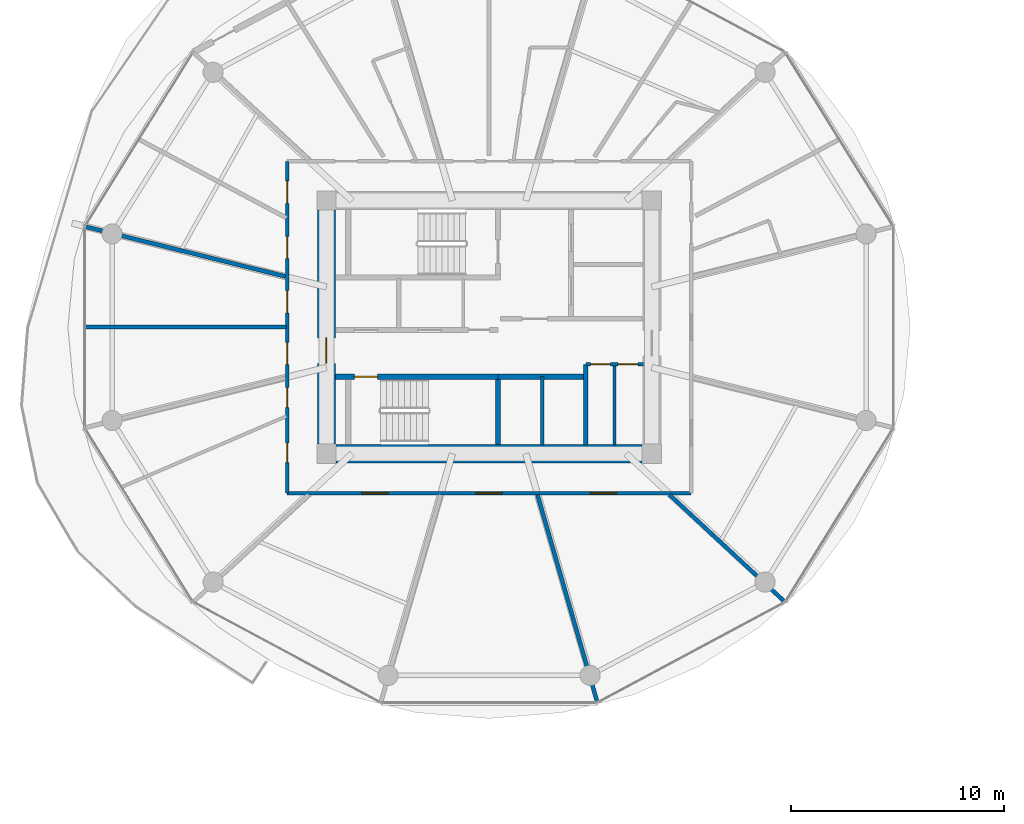
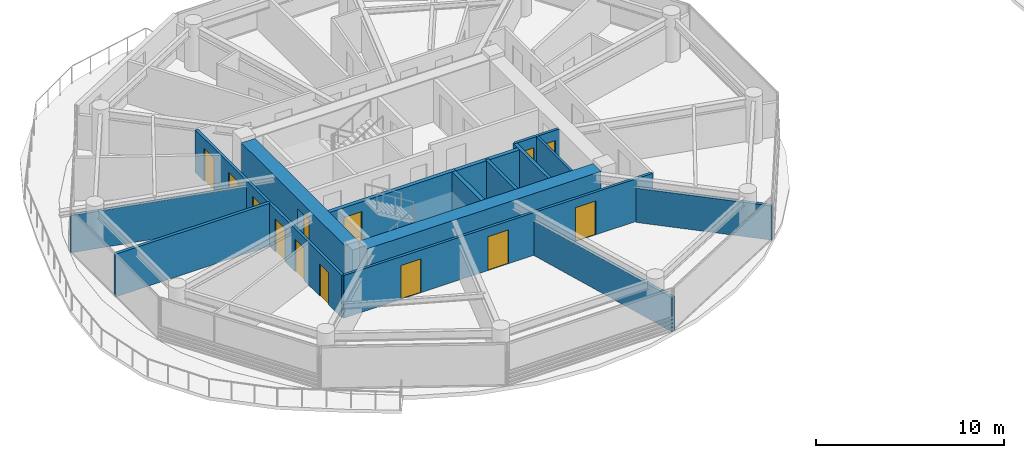
# One storey, part 15 of 27: 15 walls, 13 doors, 13 openings.
"""IFC4 building model written with IfcOpenShell, lengths in metres."""

from ifc_helpers import new_model, si_unit, direction, frame, frame_2d, origin, place, context, subcontext, project, spatial, rectangle, extrude, source, transform, mapped, material, layer, layer_set, type_object, type_shapes, element, fill, save


model = new_model("IFC4")

# Units and contexts
model_context = context("Model", 3, precision=1e-05, world=origin(), true_north=direction((0.0, 1.0)))
body_context = subcontext(model_context, "Body", "Model", "MODEL_VIEW")
ifc_project = project(units=[si_unit("LENGTHUNIT", "METRE"), si_unit("AREAUNIT", "SQUARE_METRE"), si_unit("VOLUMEUNIT", "CUBIC_METRE"), si_unit("PLANEANGLEUNIT", "RADIAN"), si_unit("MASSUNIT", "GRAM", prefix="KILO")], contexts=[model_context])

# Site, building, storey
site_placement = place(None, origin())
site = spatial("IfcSite", under=ifc_project, at=site_placement, CompositionType="ELEMENT")
building_placement = place(site_placement, origin())
building = spatial("IfcBuilding", under=site, at=building_placement, Name="Norrkilde Senior Care Towers", CompositionType="ELEMENT")
storey_placement = place(building_placement, frame((0.0, 0.0, 30.75)))
storey = spatial("IfcBuildingStorey", under=building, at=storey_placement, Name="L08", CompositionType="ELEMENT", Elevation=30.75)

# Wall
ifc_material_1 = material(Name="Concrete C60/75", Category="concrete")
ifc_layer_1 = layer(ifc_material_1, 0.85009765625)
ifc_layer_set_1 = layer_set([ifc_layer_1], Name="Concrete C60/75")
wall_type_1 = type_object("IfcWallType", Name="Core Shear Wall Z1 850", PredefinedType="SHEAR", material=ifc_layer_set_1)
shared_shape_1 = source(origin(), body_context, "Body", "SweptSolid", [
    extrude(rectangle(XDim=14.39990234375, YDim=0.85009765625, at=frame_2d((7.199951171875, 0.0))), origin(), (0.0, 0.0, 1.0), 2.7900390625),
])
wall_1_placement = place(storey_placement, frame((-20.800048828125, -5.949951171875, 0.0), z_axis=(0.0, 0.0, 1.0), x_axis=(-1.0, 0.0, 0.0)))
element("IfcWall", 1, at=wall_1_placement, inside=storey, type_object=wall_type_1, Name="L08 Core W South Shear Wall", PredefinedType="SHEAR", context=body_context, shape_type="MappedRepresentation", body=[
    mapped(shared_shape_1, transform((0.0, 0.0, 0.0), x_axis=(1.0, 0.0, 0.0), y_axis=(0.0, 1.0, 0.0), z_axis=(0.0, 0.0, 1.0), scale=1.0)),
])

# Wall, opening, door
shared_shape_2 = source(origin(), body_context, "Body", "SweptSolid", [
    extrude(rectangle(XDim=11.0, YDim=0.85009765625, at=frame_2d((5.5, 0.0))), origin(), (0.0, 0.0, 1.0), 2.7900390625),
])
type_shapes(wall_type_1, [shared_shape_1, shared_shape_2])
wall_2_placement = place(storey_placement, frame((-35.64990234375, -5.5, 0.0), z_axis=(0.0, 0.0, 1.0), x_axis=(0.0, 1.0, 0.0)))
wall_2 = element("IfcWall", 2, at=wall_2_placement, inside=storey, type_object=wall_type_1, Name="L08 Core W West Shear Wall", PredefinedType="SHEAR", context=body_context, shape_type="MappedRepresentation", body=[
    mapped(shared_shape_2, transform((0.0, 0.0, 0.0), x_axis=(1.0, 0.0, 0.0), y_axis=(0.0, 1.0, 0.0), z_axis=(0.0, 0.0, 1.0), scale=1.0)),
])
opening_1_placement = place(wall_2_placement, frame((3.800048828125, 0.0, 0.0)))
opening_1 = element("IfcOpeningElement", 3, at=opening_1_placement, cuts=wall_2, Name="Opening D-04", PredefinedType="OPENING", context=body_context, shape_type="SweptSolid", body=[
    extrude(rectangle(XDim=1.199951171875, YDim=2.14990234375, at=frame_2d((0.60009765625, 1.074951171875))), frame((0.0, 0.43505859375, 0.0), z_axis=(0.0, -1.0, 0.0), x_axis=(1.0, 0.0, 0.0)), (0.0, 0.0, 1.0), 0.8701171875),
])
ifc_material_2 = material(Name="Galvanised Painted Steel", Category="steel")
door_type_1 = type_object("IfcDoorType", Name="Firefighting Lobby Fire Door 1200x2150", OperationType="NOTDEFINED", PredefinedType="DOOR", material=ifc_material_2)
shared_shape_3 = source(origin(), body_context, "Body", "SweptSolid", [
    extrude(rectangle(XDim=1.199951171875, YDim=2.14990234375, at=frame_2d((0.60009765625, 1.074951171875))), frame((0.0, 0.02490234375, 0.0), z_axis=(0.0, -1.0, 0.0), x_axis=(1.0, 0.0, 0.0)), (0.0, 0.0, 1.0), 0.050048828125),
])
type_shapes(door_type_1, [shared_shape_3])
door_1_placement = place(opening_1_placement, frame((1.199951171875, 0.0, 0.0), z_axis=(0.0, 0.0, 1.0), x_axis=(-1.0, 0.0, 0.0)))
door_1 = element("IfcDoor", 4, at=door_1_placement, inside=storey, type_object=door_type_1, Name="L08 Core W West Portal Door", OperationType="SINGLE_SWING_LEFT", OverallHeight=2.14990234375, OverallWidth=1.199951171875, PredefinedType="DOOR", context=body_context, shape_type="MappedRepresentation", body=[
    mapped(shared_shape_3, transform((0.0, 0.0, 0.0), x_axis=(1.0, 0.0, 0.0), y_axis=(0.0, 1.0, 0.0), z_axis=(0.0, 0.0, 1.0), scale=1.0)),
])
fill(opening_1, door_1)

# Walls
ifc_material_3 = material(Name="Concrete C45/55", Category="concrete")
ifc_layer_2 = layer(ifc_material_3, 0.199951171875)
ifc_layer_set_2 = layer_set([ifc_layer_2], Name="Concrete C45/55")
wall_type_2 = type_object("IfcWallType", Name="Shaft Division and Plant Partition 200", PredefinedType="PARTITIONING", material=ifc_layer_set_2)
shared_shape_4 = source(origin(), body_context, "Body", "SweptSolid", [
    extrude(rectangle(XDim=3.800048828125, YDim=0.199951171875, at=frame_2d((1.89990234375, 0.0))), origin(), (0.0, 0.0, 1.0), 2.77490234375),
])
type_shapes(wall_type_2, [shared_shape_4])
wall_3_placement = place(storey_placement, frame((-23.449951171875, -5.550048828125, 0.0), z_axis=(0.0, 0.0, 1.0), x_axis=(0.0, 1.0, 0.0)))
element("IfcWall", 5, at=wall_3_placement, inside=storey, type_object=wall_type_2, Name="WL-INT-L08-W-PKBE", PredefinedType="PARTITIONING", context=body_context, shape_type="MappedRepresentation", body=[
    mapped(shared_shape_4, transform((0.0, 0.0, 0.0), x_axis=(1.0, 0.0, 0.0), y_axis=(0.0, 1.0, 0.0), z_axis=(0.0, 0.0, 1.0), scale=1.0)),
])
ifc_layer_3 = layer(ifc_material_3, 0.239990234375)
ifc_layer_set_3 = layer_set([ifc_layer_3], Name="Concrete C45/55")
wall_type_3 = type_object("IfcWallType", Name="Lift and Plant Rated Enclosure Partition 240", PredefinedType="PARTITIONING", material=ifc_layer_set_3)
shared_shape_5 = source(origin(), body_context, "Body", "SweptSolid", [
    extrude(rectangle(XDim=4.130126953125, YDim=0.239990234375, at=frame_2d((2.06494140625, 0.0))), origin(), (0.0, 0.0, 1.0), 2.77490234375),
])
type_shapes(wall_type_3, [shared_shape_5])
wall_4_placement = place(storey_placement, frame((-27.580078125, -2.330078125, 0.0), z_axis=(0.0, 0.0, 1.0), x_axis=(1.0, 0.0, 0.0)))
element("IfcWall", 6, at=wall_4_placement, inside=storey, type_object=wall_type_3, Name="WL-INT-L08-W-PKBN", PredefinedType="PARTITIONING", context=body_context, shape_type="MappedRepresentation", body=[
    mapped(shared_shape_5, transform((0.0, 0.0, 0.0), x_axis=(1.0, 0.0, 0.0), y_axis=(0.0, 1.0, 0.0), z_axis=(0.0, 0.0, 1.0), scale=1.0)),
])
ifc_layer_4 = layer(ifc_material_3, 0.179931640625)
ifc_layer_set_4 = layer_set([ifc_layer_4], Name="Concrete C45/55")
wall_type_4 = type_object("IfcWallType", Name="Hoistway Division Rated Partition 180", PredefinedType="PARTITIONING", material=ifc_layer_set_4)
shared_shape_6 = source(origin(), body_context, "Body", "SweptSolid", [
    extrude(rectangle(XDim=3.219970703125, YDim=0.179931640625, at=frame_2d((1.60986328125, 0.0))), origin(), (0.0, 0.0, 1.0), 2.77490234375),
])
type_shapes(wall_type_4, [shared_shape_6])
wall_5_placement = place(storey_placement, frame((-25.5, -5.550048828125, 0.0), z_axis=(0.0, 0.0, 1.0), x_axis=(0.0, 1.0, 0.0)))
element("IfcWall", 7, at=wall_5_placement, inside=storey, type_object=wall_type_4, Name="WL-INT-L08-W-PL34", PredefinedType="PARTITIONING", context=body_context, shape_type="MappedRepresentation", body=[
    mapped(shared_shape_6, transform((0.0, 0.0, 0.0), x_axis=(1.0, 0.0, 0.0), y_axis=(0.0, 1.0, 0.0), z_axis=(0.0, 0.0, 1.0), scale=1.0)),
])

# Wall, openings, doors
ifc_material_4 = material(Name="Gypsum Acoustic Board")
ifc_layer_5 = layer(ifc_material_4, 0.1650390625)
ifc_layer_set_5 = layer_set([ifc_layer_5], Name="Gypsum Acoustic Board")
wall_type_5 = type_object("IfcWallType", Name="Corridor Rated Partition 165", PredefinedType="PARTITIONING", material=ifc_layer_set_5)
shared_shape_7 = source(origin(), body_context, "Body", "SweptSolid", [
    extrude(rectangle(XDim=2.699951171875, YDim=0.1650390625, at=frame_2d((1.35009765625, 0.0))), origin(), (0.0, 0.0, 1.0), 2.77490234375),
])
wall_6_placement = place(storey_placement, frame((-23.449951171875, -1.75, 0.0), z_axis=(0.0, 0.0, 1.0), x_axis=(1.0, 0.0, 0.0)))
wall_6 = element("IfcWall", 8, at=wall_6_placement, inside=storey, type_object=wall_type_5, Name="WL-INT-L08-W-CSN", PredefinedType="PARTITIONING", context=body_context, shape_type="MappedRepresentation", body=[
    mapped(shared_shape_7, transform((0.0, 0.0, 0.0), x_axis=(1.0, 0.0, 0.0), y_axis=(0.0, 1.0, 0.0), z_axis=(0.0, 0.0, 1.0), scale=1.0)),
])
opening_2_placement = place(wall_6_placement, frame((0.222412109375, 0.0, 0.0)))
opening_2 = element("IfcOpeningElement", 9, at=opening_2_placement, cuts=wall_6, Name="Opening D-12", PredefinedType="OPENING", context=body_context, shape_type="SweptSolid", body=[
    extrude(rectangle(XDim=0.925048828125, YDim=2.10009765625, at=frame_2d((0.46240234375, 1.050048828125))), frame((0.0, 0.092529296875, 0.0), z_axis=(0.0, -1.0, 0.0), x_axis=(1.0, 0.0, 0.0)), (0.0, 0.0, 1.0), 0.18505859375),
])
opening_3_placement = place(wall_6_placement, frame((1.5224609375, 0.0, 0.0)))
opening_3 = element("IfcOpeningElement", 10, at=opening_3_placement, cuts=wall_6, Name="Opening D-12", PredefinedType="OPENING", context=body_context, shape_type="SweptSolid", body=[
    extrude(rectangle(XDim=0.925048828125, YDim=2.10009765625, at=frame_2d((0.46240234375, 1.050048828125))), frame((0.0, 0.092529296875, 0.0), z_axis=(0.0, -1.0, 0.0), x_axis=(1.0, 0.0, 0.0)), (0.0, 0.0, 1.0), 0.18505859375),
])
door_type_2 = type_object("IfcDoorType", Name="Core Wet Room Rated Door 925x2100", OperationType="NOTDEFINED", PredefinedType="DOOR", material=ifc_material_2)
shared_shape_8 = source(origin(), body_context, "Body", "SweptSolid", [
    extrude(rectangle(XDim=0.925048828125, YDim=2.10009765625, at=frame_2d((0.46240234375, 1.050048828125))), frame((0.0, 0.02490234375, 0.0), z_axis=(0.0, -1.0, 0.0), x_axis=(1.0, 0.0, 0.0)), (0.0, 0.0, 1.0), 0.050048828125),
])
type_shapes(door_type_2, [shared_shape_8])
door_2_placement = place(opening_2_placement, origin())
door_2 = element("IfcDoor", 11, at=door_2_placement, inside=storey, type_object=door_type_2, Name="L08 Staff Accessible WC W Door", OperationType="SINGLE_SWING_LEFT", OverallHeight=2.10009765625, OverallWidth=0.925048828125, PredefinedType="DOOR", context=body_context, shape_type="MappedRepresentation", body=[
    mapped(shared_shape_8, transform((0.0, 0.0, 0.0), x_axis=(1.0, 0.0, 0.0), y_axis=(0.0, 1.0, 0.0), z_axis=(0.0, 0.0, 1.0), scale=1.0)),
])
fill(opening_2, door_2)
door_3_placement = place(opening_3_placement, origin())
door_3 = element("IfcDoor", 12, at=door_3_placement, inside=storey, type_object=door_type_2, Name="L08 Housekeeping Store W Door", OperationType="SINGLE_SWING_RIGHT", OverallHeight=2.10009765625, OverallWidth=0.925048828125, PredefinedType="DOOR", context=body_context, shape_type="MappedRepresentation", body=[
    mapped(shared_shape_8, transform((0.0, 0.0, 0.0), x_axis=(1.0, 0.0, 0.0), y_axis=(0.0, 1.0, 0.0), z_axis=(0.0, 0.0, 1.0), scale=1.0)),
])
fill(opening_3, door_3)

shared_shape_9 = source(origin(), body_context, "Body", "SweptSolid", [
    extrude(rectangle(XDim=19.0, YDim=0.1650390625, at=frame_2d((9.5, 0.0))), origin(), (0.0, 0.0, 1.0), 2.77490234375),
])
wall_7_placement = place(storey_placement, frame((-18.5, -7.800048828125, 0.0), z_axis=(0.0, 0.0, 1.0), x_axis=(-1.0, 0.0, 0.0)))
wall_7 = element("IfcWall", 13, at=wall_7_placement, inside=storey, type_object=wall_type_5, Name="WL-INT-L08-W-CRW-S-0", PredefinedType="PARTITIONING", context=body_context, shape_type="MappedRepresentation", body=[
    mapped(shared_shape_9, transform((0.0, 0.0, 0.0), x_axis=(1.0, 0.0, 0.0), y_axis=(0.0, 1.0, 0.0), z_axis=(0.0, 0.0, 1.0), scale=1.0)),
])
opening_4_placement = place(wall_7_placement, frame((14.244384765625, 0.0, 0.0)))
opening_4 = element("IfcOpeningElement", 14, at=opening_4_placement, cuts=wall_7, Name="Opening D-05", PredefinedType="OPENING", context=body_context, shape_type="SweptSolid", body=[
    extrude(rectangle(XDim=1.25, YDim=2.199951171875, at=frame_2d((0.625, 1.10009765625))), frame((0.0, 0.092529296875, 0.0), z_axis=(0.0, -1.0, 0.0), x_axis=(1.0, 0.0, 0.0)), (0.0, 0.0, 1.0), 0.18505859375),
])
opening_5_placement = place(wall_7_placement, frame((8.875, 0.0, 0.0)))
opening_5 = element("IfcOpeningElement", 15, at=opening_5_placement, cuts=wall_7, Name="Opening D-05", PredefinedType="OPENING", context=body_context, shape_type="SweptSolid", body=[
    extrude(rectangle(XDim=1.25, YDim=2.199951171875, at=frame_2d((0.625, 1.10009765625))), frame((0.0, 0.092529296875, 0.0), z_axis=(0.0, -1.0, 0.0), x_axis=(1.0, 0.0, 0.0)), (0.0, 0.0, 1.0), 0.18505859375),
])
opening_6_placement = place(wall_7_placement, frame((3.505615234375, 0.0, 0.0)))
opening_6 = element("IfcOpeningElement", 16, at=opening_6_placement, cuts=wall_7, Name="Opening D-05", PredefinedType="OPENING", context=body_context, shape_type="SweptSolid", body=[
    extrude(rectangle(XDim=1.25, YDim=2.199951171875, at=frame_2d((0.625, 1.10009765625))), frame((0.0, 0.092529296875, 0.0), z_axis=(0.0, -1.0, 0.0), x_axis=(1.0, 0.0, 0.0)), (0.0, 0.0, 1.0), 0.18505859375),
])
ifc_material_5 = material(Name="Nordic Ash Timber", Category="wood")
door_type_3 = type_object("IfcDoorType", Name="Care Bedroom Bariatric Door 1250x2200", OperationType="NOTDEFINED", PredefinedType="DOOR", material=ifc_material_5)
shared_shape_10 = source(origin(), body_context, "Body", "SweptSolid", [
    extrude(rectangle(XDim=1.25, YDim=2.199951171875, at=frame_2d((0.625, 1.10009765625))), frame((0.0, 0.02490234375, 0.0), z_axis=(0.0, -1.0, 0.0), x_axis=(1.0, 0.0, 0.0)), (0.0, 0.0, 1.0), 0.050048828125),
])
type_shapes(door_type_3, [shared_shape_10])
door_4_placement = place(opening_4_placement, frame((1.25, 0.0, 0.0), z_axis=(0.0, 0.0, 1.0), x_axis=(-1.0, 0.0, 0.0)))
door_4 = element("IfcDoor", 17, at=door_4_placement, inside=storey, type_object=door_type_3, Name="L08 Resident Therapeutic Day Lounge Door", OperationType="SINGLE_SWING_RIGHT", OverallHeight=2.199951171875, OverallWidth=1.25, PredefinedType="DOOR", context=body_context, shape_type="MappedRepresentation", body=[
    mapped(shared_shape_10, transform((0.0, 0.0, 0.0), x_axis=(1.0, 0.0, 0.0), y_axis=(0.0, 1.0, 0.0), z_axis=(0.0, 0.0, 1.0), scale=1.0)),
])
fill(opening_4, door_4)
door_5_placement = place(opening_5_placement, frame((1.25, 0.0, 0.0), z_axis=(0.0, 0.0, 1.0), x_axis=(-1.0, 0.0, 0.0)))
door_5 = element("IfcDoor", 18, at=door_5_placement, inside=storey, type_object=door_type_3, Name="L08 Household Therapeutic Kitchen Door", OperationType="SINGLE_SWING_LEFT", OverallHeight=2.199951171875, OverallWidth=1.25, PredefinedType="DOOR", context=body_context, shape_type="MappedRepresentation", body=[
    mapped(shared_shape_10, transform((0.0, 0.0, 0.0), x_axis=(1.0, 0.0, 0.0), y_axis=(0.0, 1.0, 0.0), z_axis=(0.0, 0.0, 1.0), scale=1.0)),
])
fill(opening_5, door_5)
door_6_placement = place(opening_6_placement, frame((1.25, 0.0, 0.0), z_axis=(0.0, 0.0, 1.0), x_axis=(-1.0, 0.0, 0.0)))
door_6 = element("IfcDoor", 19, at=door_6_placement, inside=storey, type_object=door_type_3, Name="L08 Household Communal Dining Salon Door", OperationType="SINGLE_SWING_RIGHT", OverallHeight=2.199951171875, OverallWidth=1.25, PredefinedType="DOOR", context=body_context, shape_type="MappedRepresentation", body=[
    mapped(shared_shape_10, transform((0.0, 0.0, 0.0), x_axis=(1.0, 0.0, 0.0), y_axis=(0.0, 1.0, 0.0), z_axis=(0.0, 0.0, 1.0), scale=1.0)),
])
fill(opening_6, door_6)

shared_shape_11 = source(origin(), body_context, "Body", "SweptSolid", [
    extrude(rectangle(XDim=15.60009765625, YDim=0.1650390625, at=frame_2d((7.800048828125, 0.0))), origin(), (0.0, 0.0, 1.0), 2.77490234375),
])
type_shapes(wall_type_5, [shared_shape_7, shared_shape_9, shared_shape_11])
wall_8_placement = place(storey_placement, frame((-37.5, -7.800048828125, 0.0), z_axis=(0.0, 0.0, 1.0), x_axis=(0.0, 1.0, 0.0)))
wall_8 = element("IfcWall", 20, at=wall_8_placement, inside=storey, type_object=wall_type_5, Name="WL-INT-L08-W-CRW-W-0", PredefinedType="PARTITIONING", context=body_context, shape_type="MappedRepresentation", body=[
    mapped(shared_shape_11, transform((0.0, 0.0, 0.0), x_axis=(1.0, 0.0, 0.0), y_axis=(0.0, 1.0, 0.0), z_axis=(0.0, 0.0, 1.0), scale=1.0)),
])
opening_7_placement = place(wall_8_placement, frame((13.623046875, 0.0, 0.0)))
opening_7 = element("IfcOpeningElement", 21, at=opening_7_placement, cuts=wall_8, Name="Opening D-06", PredefinedType="OPENING", context=body_context, shape_type="SweptSolid", body=[
    extrude(rectangle(XDim=1.050048828125, YDim=2.14990234375, at=frame_2d((0.52490234375, 1.074951171875))), frame((0.0, 0.092529296875, 0.0), z_axis=(0.0, -1.0, 0.0), x_axis=(1.0, 0.0, 0.0)), (0.0, 0.0, 1.0), 0.18505859375),
])
opening_8_placement = place(wall_8_placement, frame((11.017578125, 0.0, 0.0)))
opening_8 = element("IfcOpeningElement", 22, at=opening_8_placement, cuts=wall_8, Name="Opening D-06", PredefinedType="OPENING", context=body_context, shape_type="SweptSolid", body=[
    extrude(rectangle(XDim=1.050048828125, YDim=2.14990234375, at=frame_2d((0.52490234375, 1.074951171875))), frame((0.0, 0.092529296875, 0.0), z_axis=(0.0, -1.0, 0.0), x_axis=(1.0, 0.0, 0.0)), (0.0, 0.0, 1.0), 0.18505859375),
])
opening_9_placement = place(wall_8_placement, frame((8.467041015625, 0.0, 0.0)))
opening_9 = element("IfcOpeningElement", 23, at=opening_9_placement, cuts=wall_8, Name="Opening D-06", PredefinedType="OPENING", context=body_context, shape_type="SweptSolid", body=[
    extrude(rectangle(XDim=1.050048828125, YDim=2.14990234375, at=frame_2d((0.52490234375, 1.074951171875))), frame((0.0, 0.092529296875, 0.0), z_axis=(0.0, -1.0, 0.0), x_axis=(1.0, 0.0, 0.0)), (0.0, 0.0, 1.0), 0.18505859375),
])
opening_10_placement = place(wall_8_placement, frame((6.03466796875, 0.0, 0.0)))
opening_10 = element("IfcOpeningElement", 24, at=opening_10_placement, cuts=wall_8, Name="Opening D-06", PredefinedType="OPENING", context=body_context, shape_type="SweptSolid", body=[
    extrude(rectangle(XDim=1.050048828125, YDim=2.14990234375, at=frame_2d((0.52490234375, 1.074951171875))), frame((0.0, 0.092529296875, 0.0), z_axis=(0.0, -1.0, 0.0), x_axis=(1.0, 0.0, 0.0)), (0.0, 0.0, 1.0), 0.18505859375),
])
opening_11_placement = place(wall_8_placement, frame((4.033935546875, 0.0, 0.0)))
opening_11 = element("IfcOpeningElement", 25, at=opening_11_placement, cuts=wall_8, Name="Opening D-08", PredefinedType="OPENING", context=body_context, shape_type="SweptSolid", body=[
    extrude(rectangle(XDim=0.919921875, YDim=2.10009765625, at=frame_2d((0.4599609375, 1.050048828125))), frame((0.0, 0.092529296875, 0.0), z_axis=(0.0, -1.0, 0.0), x_axis=(1.0, 0.0, 0.0)), (0.0, 0.0, 1.0), 0.18505859375),
])
opening_12_placement = place(wall_8_placement, frame((1.426025390625, 0.0, 0.0)))
opening_12 = element("IfcOpeningElement", 26, at=opening_12_placement, cuts=wall_8, Name="Opening D-08", PredefinedType="OPENING", context=body_context, shape_type="SweptSolid", body=[
    extrude(rectangle(XDim=0.919921875, YDim=2.10009765625, at=frame_2d((0.4599609375, 1.050048828125))), frame((0.0, 0.092529296875, 0.0), z_axis=(0.0, -1.0, 0.0), x_axis=(1.0, 0.0, 0.0)), (0.0, 0.0, 1.0), 0.18505859375),
])
door_type_4 = type_object("IfcDoorType", Name="Accessible Wet Room Door 920x2100", OperationType="NOTDEFINED", PredefinedType="DOOR", material=ifc_material_5)
shared_shape_12 = source(origin(), body_context, "Body", "SweptSolid", [
    extrude(rectangle(XDim=0.919921875, YDim=2.10009765625, at=frame_2d((0.4599609375, 1.050048828125))), frame((0.0, 0.02490234375, 0.0), z_axis=(0.0, -1.0, 0.0), x_axis=(1.0, 0.0, 0.0)), (0.0, 0.0, 1.0), 0.050048828125),
])
type_shapes(door_type_4, [shared_shape_12])
door_7_placement = place(opening_11_placement, frame((0.919921875, 0.0, 0.0), z_axis=(0.0, 0.0, 1.0), x_axis=(-1.0, 0.0, 0.0)))
door_7 = element("IfcDoor", 27, at=door_7_placement, inside=storey, type_object=door_type_4, Name="L08 Accessible Restroom Door", OperationType="SINGLE_SWING_LEFT", OverallHeight=2.10009765625, OverallWidth=0.919921875, PredefinedType="DOOR", context=body_context, shape_type="MappedRepresentation", body=[
    mapped(shared_shape_12, transform((0.0, 0.0, 0.0), x_axis=(1.0, 0.0, 0.0), y_axis=(0.0, 1.0, 0.0), z_axis=(0.0, 0.0, 1.0), scale=1.0)),
])
fill(opening_11, door_7)
door_8_placement = place(opening_12_placement, frame((0.919921875, 0.0, 0.0), z_axis=(0.0, 0.0, 1.0), x_axis=(-1.0, 0.0, 0.0)))
door_8 = element("IfcDoor", 28, at=door_8_placement, inside=storey, type_object=door_type_4, Name="L08 Public Restroom Door", OperationType="SINGLE_SWING_RIGHT", OverallHeight=2.10009765625, OverallWidth=0.919921875, PredefinedType="DOOR", context=body_context, shape_type="MappedRepresentation", body=[
    mapped(shared_shape_12, transform((0.0, 0.0, 0.0), x_axis=(1.0, 0.0, 0.0), y_axis=(0.0, 1.0, 0.0), z_axis=(0.0, 0.0, 1.0), scale=1.0)),
])
fill(opening_12, door_8)
door_type_5 = type_object("IfcDoorType", Name="Apartment Entrance Fire Door 1050x2150", OperationType="NOTDEFINED", PredefinedType="DOOR", material=ifc_material_5)
shared_shape_13 = source(origin(), body_context, "Body", "SweptSolid", [
    extrude(rectangle(XDim=1.050048828125, YDim=2.14990234375, at=frame_2d((0.52490234375, 1.074951171875))), frame((0.0, 0.02490234375, 0.0), z_axis=(0.0, -1.0, 0.0), x_axis=(1.0, 0.0, 0.0)), (0.0, 0.0, 1.0), 0.050048828125),
])
type_shapes(door_type_5, [shared_shape_13])
door_9_placement = place(opening_7_placement, frame((1.050048828125, 0.0, 0.0), z_axis=(0.0, 0.0, 1.0), x_axis=(-1.0, 0.0, 0.0)))
door_9 = element("IfcDoor", 29, at=door_9_placement, inside=storey, type_object=door_type_5, Name="L08 Physiotherapy Clinic 4A Door", OperationType="SINGLE_SWING_LEFT", OverallHeight=2.14990234375, OverallWidth=1.050048828125, PredefinedType="DOOR", context=body_context, shape_type="MappedRepresentation", body=[
    mapped(shared_shape_13, transform((0.0, 0.0, 0.0), x_axis=(1.0, 0.0, 0.0), y_axis=(0.0, 1.0, 0.0), z_axis=(0.0, 0.0, 1.0), scale=1.0)),
])
fill(opening_7, door_9)
door_10_placement = place(opening_8_placement, frame((1.050048828125, 0.0, 0.0), z_axis=(0.0, 0.0, 1.0), x_axis=(-1.0, 0.0, 0.0)))
door_10 = element("IfcDoor", 30, at=door_10_placement, inside=storey, type_object=door_type_5, Name="L08 Assessment Clinic 4B Door", OperationType="SINGLE_SWING_RIGHT", OverallHeight=2.14990234375, OverallWidth=1.050048828125, PredefinedType="DOOR", context=body_context, shape_type="MappedRepresentation", body=[
    mapped(shared_shape_13, transform((0.0, 0.0, 0.0), x_axis=(1.0, 0.0, 0.0), y_axis=(0.0, 1.0, 0.0), z_axis=(0.0, 0.0, 1.0), scale=1.0)),
])
fill(opening_8, door_10)
door_11_placement = place(opening_9_placement, frame((1.050048828125, 0.0, 0.0), z_axis=(0.0, 0.0, 1.0), x_axis=(-1.0, 0.0, 0.0)))
door_11 = element("IfcDoor", 31, at=door_11_placement, inside=storey, type_object=door_type_5, Name="L08 Physiotherapy Clinic 5A Door", OperationType="SINGLE_SWING_RIGHT", OverallHeight=2.14990234375, OverallWidth=1.050048828125, PredefinedType="DOOR", context=body_context, shape_type="MappedRepresentation", body=[
    mapped(shared_shape_13, transform((0.0, 0.0, 0.0), x_axis=(1.0, 0.0, 0.0), y_axis=(0.0, 1.0, 0.0), z_axis=(0.0, 0.0, 1.0), scale=1.0)),
])
fill(opening_9, door_11)
door_12_placement = place(opening_10_placement, frame((1.050048828125, 0.0, 0.0), z_axis=(0.0, 0.0, 1.0), x_axis=(-1.0, 0.0, 0.0)))
door_12 = element("IfcDoor", 32, at=door_12_placement, inside=storey, type_object=door_type_5, Name="L08 Assessment Clinic 5B Door", OperationType="SINGLE_SWING_LEFT", OverallHeight=2.14990234375, OverallWidth=1.050048828125, PredefinedType="DOOR", context=body_context, shape_type="MappedRepresentation", body=[
    mapped(shared_shape_13, transform((0.0, 0.0, 0.0), x_axis=(1.0, 0.0, 0.0), y_axis=(0.0, 1.0, 0.0), z_axis=(0.0, 0.0, 1.0), scale=1.0)),
])
fill(opening_10, door_12)

# Wall, opening, door
ifc_layer_6 = layer(ifc_material_3, 0.239990234375)
ifc_layer_set_6 = layer_set([ifc_layer_6], Name="Concrete C45/55")
wall_type_6 = type_object("IfcWallType", Name="Shaft and Stair Enclosure Wall 240", PredefinedType="PARTITIONING", material=ifc_layer_set_6)
shared_shape_14 = source(origin(), body_context, "Body", "SweptSolid", [
    extrude(rectangle(XDim=7.76513671875, YDim=0.239990234375, at=frame_2d((3.882568359375, 0.0))), origin(), (0.0, 0.0, 1.0), 2.7900390625),
])
wall_9_placement = place(storey_placement, frame((-35.22509765625, -2.330078125, 0.0), z_axis=(0.0, 0.0, 1.0), x_axis=(1.0, 0.0, 0.0)))
wall_9 = element("IfcWall", 33, at=wall_9_placement, inside=storey, type_object=wall_type_6, Name="WL-INT-L08-W-ST2N", PredefinedType="PARTITIONING", context=body_context, shape_type="MappedRepresentation", body=[
    mapped(shared_shape_14, transform((0.0, 0.0, 0.0), x_axis=(1.0, 0.0, 0.0), y_axis=(0.0, 1.0, 0.0), z_axis=(0.0, 0.0, 1.0), scale=1.0)),
])
opening_13_placement = place(wall_9_placement, frame((0.885009765625, 0.0, 0.0)))
opening_13 = element("IfcOpeningElement", 34, at=opening_13_placement, cuts=wall_9, Name="Opening D-03", PredefinedType="OPENING", context=body_context, shape_type="SweptSolid", body=[
    extrude(rectangle(XDim=1.10009765625, YDim=2.14990234375, at=frame_2d((0.550048828125, 1.074951171875))), frame((0.0, 0.1298828125, 0.0), z_axis=(0.0, -1.0, 0.0), x_axis=(1.0, 0.0, 0.0)), (0.0, 0.0, 1.0), 0.260009765625),
])
door_type_6 = type_object("IfcDoorType", Name="Stairwell Protected Fire Door 1100x2150", OperationType="NOTDEFINED", PredefinedType="DOOR", material=ifc_material_2)
shared_shape_15 = source(origin(), body_context, "Body", "SweptSolid", [
    extrude(rectangle(XDim=1.10009765625, YDim=2.14990234375, at=frame_2d((0.550048828125, 1.074951171875))), frame((0.0, 0.02490234375, 0.0), z_axis=(0.0, -1.0, 0.0), x_axis=(1.0, 0.0, 0.0)), (0.0, 0.0, 1.0), 0.050048828125),
])
type_shapes(door_type_6, [shared_shape_15])
door_13_placement = place(opening_13_placement, frame((1.10009765625, 0.0, 0.0), z_axis=(0.0, 0.0, 1.0), x_axis=(-1.0, 0.0, 0.0)))
door_13 = element("IfcDoor", 35, at=door_13_placement, inside=storey, type_object=door_type_6, Name="L08 Stair W2 Fire Door", OperationType="SINGLE_SWING_RIGHT", OverallHeight=2.14990234375, OverallWidth=1.10009765625, PredefinedType="DOOR", context=body_context, shape_type="MappedRepresentation", body=[
    mapped(shared_shape_15, transform((0.0, 0.0, 0.0), x_axis=(1.0, 0.0, 0.0), y_axis=(0.0, 1.0, 0.0), z_axis=(0.0, 0.0, 1.0), scale=1.0)),
])
fill(opening_13, door_13)

# Walls
shared_shape_16 = source(origin(), body_context, "Body", "SweptSolid", [
    extrude(rectangle(XDim=3.074951171875, YDim=0.239990234375, at=frame_2d((1.53759765625, 0.0))), origin(), (0.0, 0.0, 1.0), 2.7900390625),
])
type_shapes(wall_type_6, [shared_shape_14, shared_shape_16])
wall_10_placement = place(storey_placement, frame((-27.580078125, -5.52490234375, 0.0), z_axis=(0.0, 0.0, 1.0), x_axis=(0.0, 1.0, 0.0)))
element("IfcWall", 36, at=wall_10_placement, inside=storey, type_object=wall_type_6, Name="WL-INT-L08-W-ST2E", PredefinedType="PARTITIONING", context=body_context, shape_type="MappedRepresentation", body=[
    mapped(shared_shape_16, transform((0.0, 0.0, 0.0), x_axis=(1.0, 0.0, 0.0), y_axis=(0.0, 1.0, 0.0), z_axis=(0.0, 0.0, 1.0), scale=1.0)),
])
ifc_layer_7 = layer(ifc_material_4, 0.18994140625)
ifc_layer_set_7 = layer_set([ifc_layer_7], Name="Gypsum Acoustic Board")
wall_type_7 = type_object("IfcWallType", Name="Unit Demising Acoustic Wall 190", PredefinedType="PARTITIONING", material=ifc_layer_set_7)
shared_shape_17 = source(origin(), body_context, "Body", "SweptSolid", [
    extrude(rectangle(XDim=7.4345703125, YDim=0.18994140625, at=frame_2d((3.71728515625, 0.0))), origin(), (0.0, 0.0, 1.0), 2.22509765625),
])
wall_11_placement = place(storey_placement, frame((-19.51708984375, -7.8798828125, 0.0), z_axis=(0.0, 0.0, 1.0), x_axis=(0.732651956848, -0.680603489652, 0.0)))
element("IfcWall", 37, at=wall_11_placement, inside=storey, type_object=wall_type_7, Name="WL-INT-L08-W-DEM-10-0", PredefinedType="PARTITIONING", context=body_context, shape_type="MappedRepresentation", body=[
    mapped(shared_shape_17, transform((0.0, 0.0, 0.0), x_axis=(1.0, 0.0, 0.0), y_axis=(0.0, 1.0, 0.0), z_axis=(0.0, 0.0, 1.0), scale=1.0)),
])
shared_shape_18 = source(origin(), body_context, "Body", "SweptSolid", [
    extrude(rectangle(XDim=10.196044921875, YDim=0.18994140625, at=frame_2d((5.09814453125, 0.0))), origin(), (0.0, 0.0, 1.0), 2.22509765625),
])
wall_12_placement = place(storey_placement, frame((-25.72705078125, -7.8798828125, 0.0), z_axis=(0.0, 0.0, 1.0), x_axis=(0.277136420347, -0.960830580549, 0.0)))
element("IfcWall", 38, at=wall_12_placement, inside=storey, type_object=wall_type_7, Name="WL-INT-L08-W-DEM-09-0", PredefinedType="PARTITIONING", context=body_context, shape_type="MappedRepresentation", body=[
    mapped(shared_shape_18, transform((0.0, 0.0, 0.0), x_axis=(1.0, 0.0, 0.0), y_axis=(0.0, 1.0, 0.0), z_axis=(0.0, 0.0, 1.0), scale=1.0)),
])
ifc_layer_8 = layer(ifc_material_4, 0.139892578125)
ifc_layer_set_8 = layer_set([ifc_layer_8], Name="Gypsum Acoustic Board")
wall_type_8 = type_object("IfcWallType", Name="En-suite Wet Room Wall 140", PredefinedType="PARTITIONING", material=ifc_layer_set_8)
shared_shape_19 = source(origin(), body_context, "Body", "SweptSolid", [
    extrude(rectangle(XDim=3.800048828125, YDim=0.139892578125, at=frame_2d((1.89990234375, 0.0))), origin(), (0.0, 0.0, 1.0), 2.77490234375),
])
type_shapes(wall_type_8, [shared_shape_19])
wall_13_placement = place(storey_placement, frame((-22.10009765625, -5.550048828125, 0.0), z_axis=(0.0, 0.0, 1.0), x_axis=(0.0, 1.0, 0.0)))
element("IfcWall", 39, at=wall_13_placement, inside=storey, type_object=wall_type_8, Name="WL-INT-L08-W-CS1V", PredefinedType="PARTITIONING", context=body_context, shape_type="MappedRepresentation", body=[
    mapped(shared_shape_19, transform((0.0, 0.0, 0.0), x_axis=(1.0, 0.0, 0.0), y_axis=(0.0, 1.0, 0.0), z_axis=(0.0, 0.0, 1.0), scale=1.0)),
])
shared_shape_20 = source(origin(), body_context, "Body", "SweptSolid", [
    extrude(rectangle(XDim=9.737060546875, YDim=0.18994140625, at=frame_2d((4.86865234375, 0.0))), origin(), (0.0, 0.0, 1.0), 2.4150390625),
])
wall_14_placement = place(storey_placement, frame((-37.580078125, 2.384521484375, 0.0), z_axis=(0.0, 0.0, 1.0), x_axis=(-0.970392716238, 0.241532557375, 0.0)))
element("IfcWall", 40, at=wall_14_placement, inside=storey, type_object=wall_type_7, Name="WL-INT-L08-W-DEM-05-0", PredefinedType="PARTITIONING", context=body_context, shape_type="MappedRepresentation", body=[
    mapped(shared_shape_20, transform((0.0, 0.0, 0.0), x_axis=(1.0, 0.0, 0.0), y_axis=(0.0, 1.0, 0.0), z_axis=(0.0, 0.0, 1.0), scale=1.0)),
])
shared_shape_21 = source(origin(), body_context, "Body", "SweptSolid", [
    extrude(rectangle(XDim=9.498779296875, YDim=0.18994140625, at=frame_2d((4.74951171875, 0.0))), origin(), (0.0, 0.0, 1.0), 2.77490234375),
])
type_shapes(wall_type_7, [shared_shape_17, shared_shape_18, shared_shape_20, shared_shape_21])
wall_15_placement = place(storey_placement, frame((-37.530029296875, 0.0, 0.0), z_axis=(0.0, 0.0, 1.0), x_axis=(-1.0, 0.0, 0.0)))
element("IfcWall", 41, at=wall_15_placement, inside=storey, type_object=wall_type_7, Name="WL-INT-L08-W-MID-05", PredefinedType="PARTITIONING", context=body_context, shape_type="MappedRepresentation", body=[
    mapped(shared_shape_21, transform((0.0, 0.0, 0.0), x_axis=(1.0, 0.0, 0.0), y_axis=(0.0, 1.0, 0.0), z_axis=(0.0, 0.0, 1.0), scale=1.0)),
])

save(model, "model.ifc")
